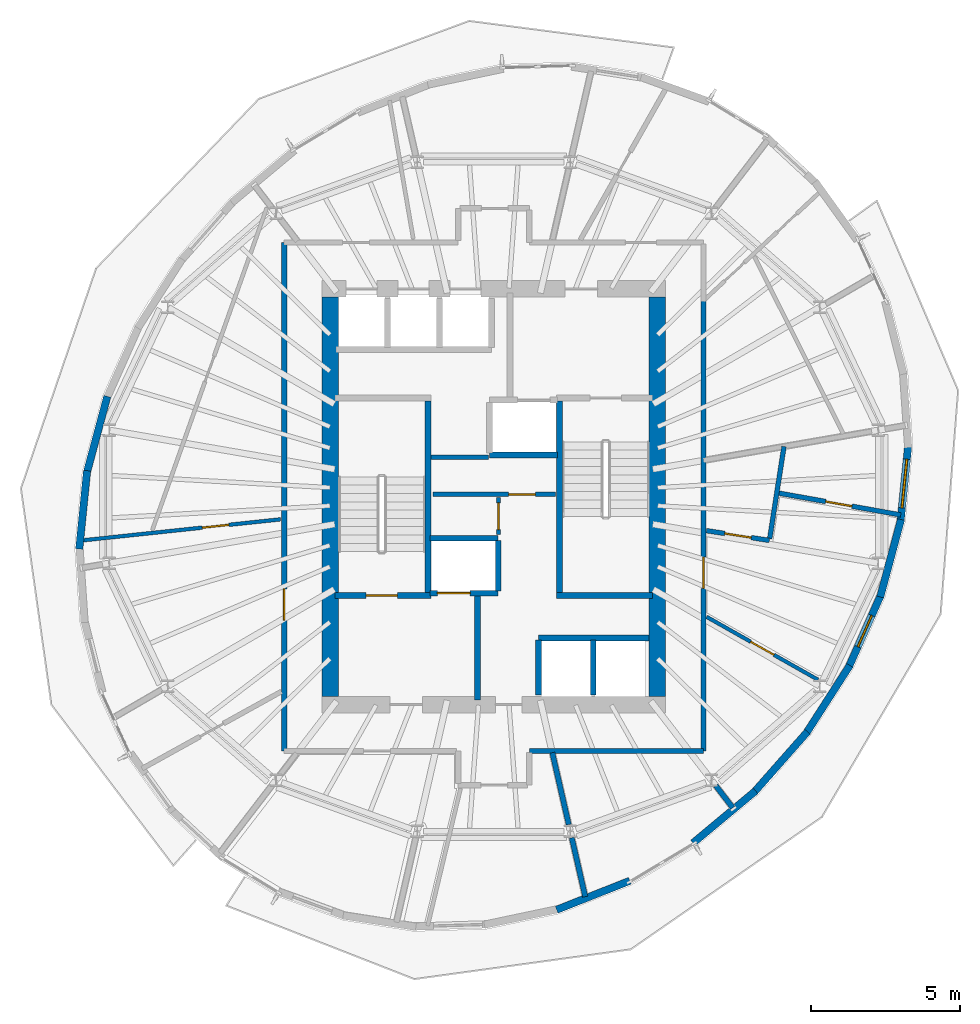
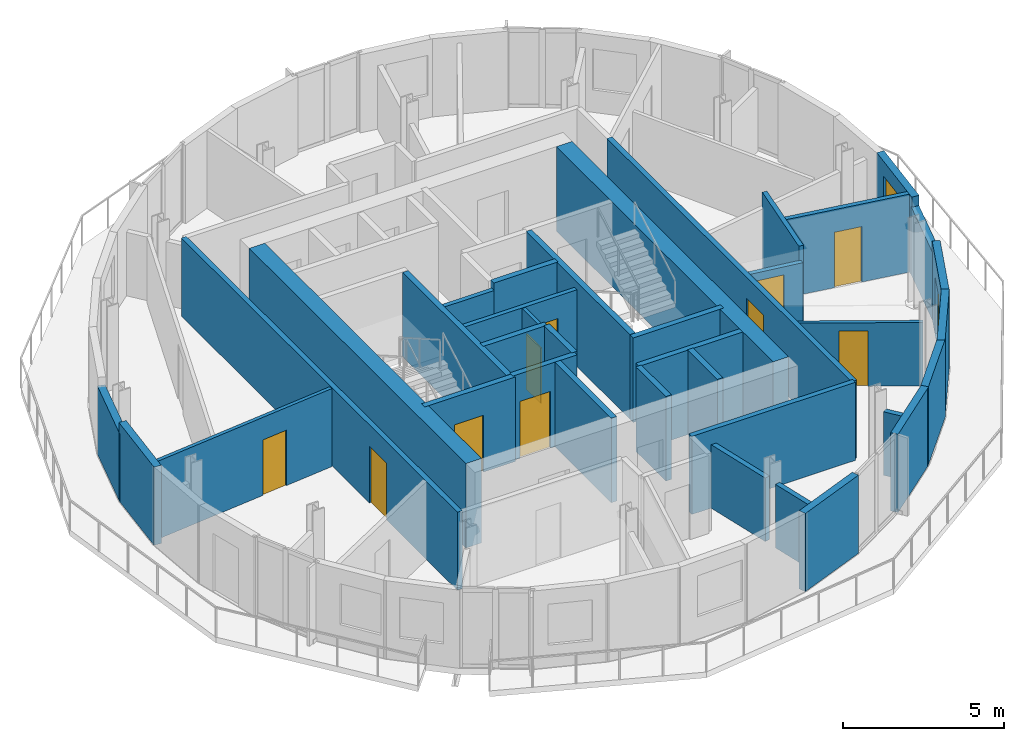
# One storey, part 5 of 11: 37 walls, 11 doors, 1 window, 12 openings.
"""IFC4 building model written with IfcOpenShell, lengths in metres."""

from ifc_helpers import new_model, si_unit, direction, frame, frame_2d, origin, place, context, subcontext, project, spatial, rectangle, extrude, material, layer, layer_set, type_object, element, fill, save


model = new_model("IFC4")

# Units and contexts
model_context = context("Model", 3, precision=1e-05, world=origin(), true_north=direction((0.0, 1.0)))
body_context = subcontext(model_context, "Body", "Model", "MODEL_VIEW")
ifc_project = project(units=[si_unit("LENGTHUNIT", "METRE"), si_unit("AREAUNIT", "SQUARE_METRE"), si_unit("VOLUMEUNIT", "CUBIC_METRE"), si_unit("PLANEANGLEUNIT", "RADIAN"), si_unit("MASSUNIT", "GRAM", prefix="KILO")], contexts=[model_context])

# Site, building, storey
site_placement = place(None, origin())
site = spatial("IfcSite", under=ifc_project, at=site_placement, CompositionType="ELEMENT")
building_placement = place(site_placement, origin())
building = spatial("IfcBuilding", under=site, at=building_placement, Name="Veldorim Arch Residences", CompositionType="ELEMENT")
storey_placement = place(building_placement, frame((0.0, 0.0, 217.43994140625)))
storey = spatial("IfcBuildingStorey", under=building, at=storey_placement, Name="L65", CompositionType="ELEMENT", Elevation=217.43994140625)

# Wall, opening, door
ifc_material_1 = material(Name="Acoustic Gypsum Board", Category="gypsum")
ifc_layer_1 = layer(ifc_material_1, 0.125, Name="Acoustic Stud Room Partition Wall 125")
ifc_layer_set_1 = layer_set([ifc_layer_1], Name="Acoustic Gypsum Board")
wall_type_1 = type_object("IfcWallType", Name="Acoustic Stud Room Partition Wall 125", PredefinedType="PARTITIONING", material=ifc_layer_set_1)
wall_1_placement = place(storey_placement, frame((32.159912109375, 22.719970703125, 0.0), z_axis=(0.0, 0.0, 1.0), x_axis=(0.0, 1.0, 0.0)))
wall_1 = element("IfcWall", 1, at=wall_1_placement, inside=storey, type_object=wall_type_1, Name="L65 interior wall WL-CA-L65-2", PredefinedType="PARTITIONING", context=body_context, shape_type="SweptSolid", body=[
    extrude(rectangle(XDim=1.25, YDim=0.125, at=frame_2d((0.625, 0.0))), origin(), (0.0, 0.0, 1.0), 2.955078125),
])
opening_1_placement = place(wall_1_placement, frame((0.169921875, 0.0, 0.0)))
opening_1 = element("IfcOpeningElement", 2, at=opening_1_placement, cuts=wall_1, Name="Opening DR-SVC", PredefinedType="OPENING", context=body_context, shape_type="SweptSolid", body=[
    extrude(rectangle(XDim=0.89990234375, YDim=2.10009765625, at=frame_2d((0.449951171875, 1.050048828125))), frame((0.0, 0.072509765625, 0.0), z_axis=(0.0, -1.0, 0.0), x_axis=(1.0, 0.0, 0.0)), (0.0, 0.0, 1.0), 0.14501953125),
])
ifc_material_2 = material(Name="Fire-Rated Steel", Category="steel")
door_type_1 = type_object("IfcDoorType", Name="Riser, Shelter & Plant Room Rated Steel Door 900x2100", OperationType="SINGLE_SWING_LEFT", PredefinedType="DOOR", material=ifc_material_2)
door_1_placement = place(opening_1_placement, origin())
door_1 = element("IfcDoor", 3, at=door_1_placement, inside=storey, type_object=door_type_1, Name="L65 interior door DR-L65-CA2", OperationType="SINGLE_SWING_RIGHT", OverallHeight=2.10009765625, OverallWidth=0.89990234375, PredefinedType="DOOR", context=body_context, shape_type="SweptSolid", body=[
    extrude(rectangle(XDim=0.89990234375, YDim=2.10009765625, at=frame_2d((0.449951171875, 1.050048828125))), frame((0.0, 0.02490234375, 0.0), z_axis=(0.0, -1.0, 0.0), x_axis=(1.0, 0.0, 0.0)), (0.0, 0.0, 1.0), 0.050048828125),
])
fill(opening_1, door_1)

wall_2_placement = place(storey_placement, frame((42.916748046875, 17.83740234375, 0.0), z_axis=(0.0, 0.0, 1.0), x_axis=(-0.870825482781, 0.491592288933, 0.0)))
wall_2 = element("IfcWall", 4, at=wall_2_placement, inside=storey, type_object=wall_type_1, Name="L65 interior wall WL-RES-L65-018", PredefinedType="PARTITIONING", context=body_context, shape_type="SweptSolid", body=[
    extrude(rectangle(XDim=4.308837890625, YDim=0.125, at=frame_2d((2.154296875, 0.0))), origin(), (0.0, 0.0, 1.0), 2.403564453125),
])
opening_2_placement = place(wall_2_placement, frame((1.70458984375, 0.0, 0.0)))
opening_2 = element("IfcOpeningElement", 5, at=opening_2_placement, cuts=wall_2, Name="Opening DR-INT", PredefinedType="OPENING", context=body_context, shape_type="SweptSolid", body=[
    extrude(rectangle(XDim=0.89990234375, YDim=2.10009765625, at=frame_2d((0.449951171875, 1.050048828125))), frame((0.0, 0.072509765625, 0.0), z_axis=(0.0, -1.0, 0.0), x_axis=(1.0, 0.0, 0.0)), (0.0, 0.0, 1.0), 0.14501953125),
])
ifc_material_3 = material(Name="Engineered Timber", Category="wood")
door_type_2 = type_object("IfcDoorType", Name="Apartment Internal Room Timber Door 900x2100", OperationType="SINGLE_SWING_LEFT", PredefinedType="DOOR", material=ifc_material_3)
door_2_placement = place(opening_2_placement, origin())
door_2 = element("IfcDoor", 6, at=door_2_placement, inside=storey, type_object=door_type_2, Name="L65 interior door DR-RES-L65-005", OperationType="SINGLE_SWING_LEFT", OverallHeight=2.10009765625, OverallWidth=0.89990234375, PredefinedType="DOOR", context=body_context, shape_type="SweptSolid", body=[
    extrude(rectangle(XDim=0.89990234375, YDim=2.10009765625, at=frame_2d((0.449951171875, 1.050048828125))), frame((0.0, 0.02490234375, 0.0), z_axis=(0.0, -1.0, 0.0), x_axis=(1.0, 0.0, 0.0)), (0.0, 0.0, 1.0), 0.050048828125),
])
fill(opening_2, door_2)

wall_3_placement = place(storey_placement, frame((18.085693359375, 22.5224609375, 0.0), z_axis=(0.0, 0.0, 1.0), x_axis=(0.994410835851, 0.105579778091, 0.0)))
wall_3 = element("IfcWall", 7, at=wall_3_placement, inside=storey, type_object=wall_type_1, Name="L65 interior wall WL-RES-L65-029", PredefinedType="PARTITIONING", context=body_context, shape_type="SweptSolid", body=[
    extrude(rectangle(XDim=6.77294921875, YDim=0.125, at=frame_2d((3.386474609375, 0.0))), origin(), (0.0, 0.0, 1.0), 2.955078125),
])
opening_3_placement = place(wall_3_placement, frame((4.124267578125, 0.0, 0.0)))
opening_3 = element("IfcOpeningElement", 8, at=opening_3_placement, cuts=wall_3, Name="Opening DR-INT", PredefinedType="OPENING", context=body_context, shape_type="SweptSolid", body=[
    extrude(rectangle(XDim=0.89990234375, YDim=2.10009765625, at=frame_2d((0.449951171875, 1.050048828125))), frame((0.0, 0.072509765625, 0.0), z_axis=(0.0, -1.0, 0.0), x_axis=(1.0, 0.0, 0.0)), (0.0, 0.0, 1.0), 0.14501953125),
])
door_3_placement = place(opening_3_placement, origin())
door_3 = element("IfcDoor", 9, at=door_3_placement, inside=storey, type_object=door_type_2, Name="L65 interior door DR-RES-L65-015", OperationType="SINGLE_SWING_LEFT", OverallHeight=2.10009765625, OverallWidth=0.89990234375, PredefinedType="DOOR", context=body_context, shape_type="SweptSolid", body=[
    extrude(rectangle(XDim=0.89990234375, YDim=2.10009765625, at=frame_2d((0.449951171875, 1.050048828125))), frame((0.0, 0.02490234375, 0.0), z_axis=(0.0, -1.0, 0.0), x_axis=(1.0, 0.0, 0.0)), (0.0, 0.0, 1.0), 0.050048828125),
])
fill(opening_3, door_3)

# Walls
ifc_material_4 = material(Name="Lightweight Masonry Block & Gypsum", Category="masonry")
ifc_layer_2 = layer(ifc_material_4, 0.179931640625, Name="Compartment & Corridor Fire-Rated Party Wall 180")
ifc_layer_set_2 = layer_set([ifc_layer_2], Name="Lightweight Masonry Block & Gypsum")
wall_type_2 = type_object("IfcWallType", Name="Compartment & Corridor Fire-Rated Party Wall 180", PredefinedType="PARTITIONING", material=ifc_layer_set_2)
wall_4_placement = place(storey_placement, frame((34.62646484375, 12.516845703125, 0.0), z_axis=(0.0, 0.0, 1.0), x_axis=(0.222932254148, -0.974833939736, 0.0)))
element("IfcWall", 10, at=wall_4_placement, inside=storey, type_object=wall_type_2, Name="L65 interior wall WL-PIER-L65-13", PredefinedType="PARTITIONING", context=body_context, shape_type="SweptSolid", body=[
    extrude(rectangle(XDim=2.035888671875, YDim=0.179931640625, at=frame_2d((1.01806640625, 0.0))), origin(), (0.0, 0.0, 1.0), 2.403564453125),
])
wall_5_placement = place(storey_placement, frame((39.473388671875, 14.272705078125, 0.0), z_axis=(0.0, 0.0, 1.0), x_axis=(0.60903478373, -0.793143512995, 0.0)))
element("IfcWall", 11, at=wall_5_placement, inside=storey, type_object=wall_type_2, Name="L65 interior wall WL-PIER-L65-14", PredefinedType="PARTITIONING", context=body_context, shape_type="SweptSolid", body=[
    extrude(rectangle(XDim=0.94287109375, YDim=0.179931640625, at=frame_2d((0.471435546875, 0.0))), origin(), (0.0, 0.0, 1.0), 2.403564453125),
])
wall_6_placement = place(storey_placement, frame((39.06005859375, 15.43994140625, 0.0), z_axis=(0.0, 0.0, 1.0), x_axis=(-1.0, 0.0, 0.0)))
element("IfcWall", 12, at=wall_6_placement, inside=storey, type_object=wall_type_2, Name="L65 interior wall WL-RES-L65-001", PredefinedType="PARTITIONING", context=body_context, shape_type="SweptSolid", body=[
    extrude(rectangle(XDim=5.860107421875, YDim=0.179931640625, at=frame_2d((2.93017578125, 0.0))), origin(), (0.0, 0.0, 1.0), 2.955078125),
])

# Wall, opening, door
wall_7_placement = place(storey_placement, frame((39.06005859375, 30.622802734375, 0.0), z_axis=(0.0, 0.0, 1.0), x_axis=(0.0, -1.0, 0.0)))
wall_7 = element("IfcWall", 13, at=wall_7_placement, inside=storey, type_object=wall_type_2, Name="L65 interior wall WL-RES-L65-006", PredefinedType="PARTITIONING", context=body_context, shape_type="SweptSolid", body=[
    extrude(rectangle(XDim=15.182861328125, YDim=0.179931640625, at=frame_2d((7.59130859375, 0.0))), origin(), (0.0, 0.0, 1.0), 2.955078125),
])
opening_4_placement = place(wall_7_placement, frame((8.656005859375, 0.0, 0.0)))
opening_4 = element("IfcOpeningElement", 14, at=opening_4_placement, cuts=wall_7, Name="Opening DR-FLT", PredefinedType="OPENING", context=body_context, shape_type="SweptSolid", body=[
    extrude(rectangle(XDim=1.050048828125, YDim=2.14990234375, at=frame_2d((0.52490234375, 1.074951171875))), frame((0.0, 0.099853515625, 0.0), z_axis=(0.0, -1.0, 0.0), x_axis=(1.0, 0.0, 0.0)), (0.0, 0.0, 1.0), 0.199951171875),
])
ifc_material_5 = material(Name="Fire-Rated Timber", Category="wood")
door_type_3 = type_object("IfcDoorType", Name="Apartment Entrance Solid-Core Fire Door 1050x2150", OperationType="SINGLE_SWING_LEFT", PredefinedType="DOOR", material=ifc_material_5)
door_4_placement = place(opening_4_placement, origin())
door_4 = element("IfcDoor", 15, at=door_4_placement, inside=storey, type_object=door_type_3, Name="L65 interior door DR-RES-L65-003", OperationType="SINGLE_SWING_LEFT", OverallHeight=2.14990234375, OverallWidth=1.050048828125, PredefinedType="DOOR", context=body_context, shape_type="SweptSolid", body=[
    extrude(rectangle(XDim=1.050048828125, YDim=2.14990234375, at=frame_2d((0.52490234375, 1.074951171875))), frame((0.0, 0.02490234375, 0.0), z_axis=(0.0, -1.0, 0.0), x_axis=(1.0, 0.0, 0.0)), (0.0, 0.0, 1.0), 0.050048828125),
])
fill(opening_4, door_4)

wall_8_placement = place(storey_placement, frame((24.93994140625, 15.43994140625, 0.0), z_axis=(0.0, 0.0, 1.0), x_axis=(0.0, 1.0, 0.0)))
wall_8 = element("IfcWall", 16, at=wall_8_placement, inside=storey, type_object=wall_type_2, Name="L65 interior wall WL-RES-L65-013", PredefinedType="PARTITIONING", context=body_context, shape_type="SweptSolid", body=[
    extrude(rectangle(XDim=17.1201171875, YDim=0.179931640625, at=frame_2d((8.56005859375, 0.0))), origin(), (0.0, 0.0, 1.0), 2.955078125),
])
opening_5_placement = place(wall_8_placement, frame((4.404296875, 0.0, 0.0)))
opening_5 = element("IfcOpeningElement", 17, at=opening_5_placement, cuts=wall_8, Name="Opening DR-FLT", PredefinedType="OPENING", context=body_context, shape_type="SweptSolid", body=[
    extrude(rectangle(XDim=1.050048828125, YDim=2.14990234375, at=frame_2d((0.52490234375, 1.074951171875))), frame((0.0, 0.099853515625, 0.0), z_axis=(0.0, -1.0, 0.0), x_axis=(1.0, 0.0, 0.0)), (0.0, 0.0, 1.0), 0.199951171875),
])
door_5_placement = place(opening_5_placement, origin())
door_5 = element("IfcDoor", 18, at=door_5_placement, inside=storey, type_object=door_type_3, Name="L65 interior door DR-RES-L65-013", OperationType="SINGLE_SWING_LEFT", OverallHeight=2.14990234375, OverallWidth=1.050048828125, PredefinedType="DOOR", context=body_context, shape_type="SweptSolid", body=[
    extrude(rectangle(XDim=1.050048828125, YDim=2.14990234375, at=frame_2d((0.52490234375, 1.074951171875))), frame((0.0, 0.02490234375, 0.0), z_axis=(0.0, -1.0, 0.0), x_axis=(1.0, 0.0, 0.0)), (0.0, 0.0, 1.0), 0.050048828125),
])
fill(opening_5, door_5)

# Walls
wall_9_placement = place(storey_placement, frame((33.97119140625, 15.381591796875, 0.0), z_axis=(0.0, 0.0, 1.0), x_axis=(0.222950196428, -0.974829836388, 0.0)))
element("IfcWall", 19, at=wall_9_placement, inside=storey, type_object=wall_type_2, Name="L65 interior wall WL-RES-L65-015", PredefinedType="PARTITIONING", context=body_context, shape_type="SweptSolid", body=[
    extrude(rectangle(XDim=2.484619140625, YDim=0.179931640625, at=frame_2d((1.2421875, 0.0))), origin(), (0.0, 0.0, 1.0), 2.403564453125),
])
ifc_material_6 = material(Name="Concrete C50/60", Category="concrete")
ifc_layer_3 = layer(ifc_material_6, 0.199951171875, Name="Core Stair & Lift Shaft Enclosure Wall 200")
ifc_layer_set_3 = layer_set([ifc_layer_3], Name="Concrete C50/60")
wall_type_3 = type_object("IfcWallType", Name="Core Stair & Lift Shaft Enclosure Wall 200", PredefinedType="SHEAR", material=ifc_layer_set_3)
wall_10_placement = place(storey_placement, frame((29.7900390625, 20.780029296875, 0.0), z_axis=(0.0, 0.0, 1.0), x_axis=(0.0, 1.0, 0.0)))
element("IfcWall", 20, at=wall_10_placement, inside=storey, type_object=wall_type_3, Name="L65 shaft wall WL-SHF-L65-ST1-E", PredefinedType="SHEAR", context=body_context, shape_type="SweptSolid", body=[
    extrude(rectangle(XDim=6.43994140625, YDim=0.199951171875, at=frame_2d((3.219970703125, 0.0))), origin(), (0.0, 0.0, 1.0), 3.199951171875),
])

# Wall, opening, door
wall_11_placement = place(storey_placement, frame((26.64990234375, 20.669921875, 0.0), z_axis=(0.0, 0.0, 1.0), x_axis=(1.0, 0.0, 0.0)))
wall_11 = element("IfcWall", 21, at=wall_11_placement, inside=storey, type_object=wall_type_3, Name="L65 shaft wall WL-SHF-L65-ST1-S", PredefinedType="SHEAR", context=body_context, shape_type="SweptSolid", body=[
    extrude(rectangle(XDim=3.239990234375, YDim=0.199951171875, at=frame_2d((1.6201171875, 0.0))), origin(), (0.0, 0.0, 1.0), 3.199951171875),
])
opening_6_placement = place(wall_11_placement, frame((1.054931640625, 0.0, 0.0)))
opening_6 = element("IfcOpeningElement", 22, at=opening_6_placement, cuts=wall_11, Name="Opening DR-ST", PredefinedType="OPENING", context=body_context, shape_type="SweptSolid", body=[
    extrude(rectangle(XDim=1.050048828125, YDim=2.14990234375, at=frame_2d((0.52490234375, 1.074951171875))), frame((0.0, 0.10986328125, 0.0), z_axis=(0.0, -1.0, 0.0), x_axis=(1.0, 0.0, 0.0)), (0.0, 0.0, 1.0), 0.219970703125),
])
ifc_material_7 = material(Name="Fire-Rated Steel", Category="steel")
door_type_4 = type_object("IfcDoorType", Name="Exit Staircase Self-Closing Fire Door 1050x2150", OperationType="SINGLE_SWING_LEFT", PredefinedType="DOOR", material=ifc_material_7)
door_6_placement = place(opening_6_placement, origin())
door_6 = element("IfcDoor", 23, at=door_6_placement, inside=storey, type_object=door_type_4, Name="L65 interior door DR-L65-ST1", OperationType="SINGLE_SWING_LEFT", OverallHeight=2.14990234375, OverallWidth=1.050048828125, PredefinedType="DOOR", context=body_context, shape_type="SweptSolid", body=[
    extrude(rectangle(XDim=1.050048828125, YDim=2.14990234375, at=frame_2d((0.52490234375, 1.074951171875))), frame((0.0, 0.02490234375, 0.0), z_axis=(0.0, -1.0, 0.0), x_axis=(1.0, 0.0, 0.0)), (0.0, 0.0, 1.0), 0.050048828125),
])
fill(opening_6, door_6)

# Walls
wall_12_placement = place(storey_placement, frame((34.2099609375, 20.780029296875, 0.0), z_axis=(0.0, 0.0, 1.0), x_axis=(0.0, 1.0, 0.0)))
element("IfcWall", 24, at=wall_12_placement, inside=storey, type_object=wall_type_3, Name="L65 shaft wall WL-SHF-L65-ST2-W", PredefinedType="SHEAR", context=body_context, shape_type="SweptSolid", body=[
    extrude(rectangle(XDim=6.43994140625, YDim=0.199951171875, at=frame_2d((3.219970703125, 0.0))), origin(), (0.0, 0.0, 1.0), 3.199951171875),
])
wall_13_placement = place(storey_placement, frame((34.110107421875, 20.669921875, 0.0), z_axis=(0.0, 0.0, 1.0), x_axis=(1.0, 0.0, 0.0)))
element("IfcWall", 25, at=wall_13_placement, inside=storey, type_object=wall_type_3, Name="L65 shaft wall WL-SHF-L65-ST2-S", PredefinedType="SHEAR", context=body_context, shape_type="SweptSolid", body=[
    extrude(rectangle(XDim=3.239990234375, YDim=0.199951171875, at=frame_2d((1.6201171875, 0.0))), origin(), (0.0, 0.0, 1.0), 3.199951171875),
])
wall_14_placement = place(storey_placement, frame((31.449951171875, 17.14990234375, 0.0), z_axis=(0.0, 0.0, 1.0), x_axis=(0.0, 1.0, 0.0)))
element("IfcWall", 26, at=wall_14_placement, inside=storey, type_object=wall_type_3, Name="L65 shaft wall WL-FFL1-L65-E", PredefinedType="SHEAR", context=body_context, shape_type="SweptSolid", body=[
    extrude(rectangle(XDim=3.5, YDim=0.199951171875, at=frame_2d((1.75, 0.0))), origin(), (0.0, 0.0, 1.0), 3.199951171875),
])

# Wall, opening, door
wall_15_placement = place(storey_placement, frame((29.85009765625, 20.75, 0.0), z_axis=(0.0, 0.0, 1.0), x_axis=(1.0, 0.0, 0.0)))
wall_15 = element("IfcWall", 27, at=wall_15_placement, inside=storey, type_object=wall_type_3, Name="L65 shaft wall WL-FL01-L65-S", PredefinedType="SHEAR", context=body_context, shape_type="SweptSolid", body=[
    extrude(rectangle(XDim=2.2998046875, YDim=0.199951171875, at=frame_2d((1.14990234375, 0.0))), origin(), (0.0, 0.0, 1.0), 3.199951171875),
])
opening_7_placement = place(wall_15_placement, frame((0.25, 0.0, 0.0)))
opening_7 = element("IfcOpeningElement", 28, at=opening_7_placement, cuts=wall_15, Name="Opening LD-FF", PredefinedType="OPENING", context=body_context, shape_type="SweptSolid", body=[
    extrude(rectangle(XDim=1.10009765625, YDim=2.14990234375, at=frame_2d((0.550048828125, 1.074951171875))), frame((0.0, 0.10986328125, 0.0), z_axis=(0.0, -1.0, 0.0), x_axis=(1.0, 0.0, 0.0)), (0.0, 0.0, 1.0), 0.219970703125),
])
ifc_material_8 = material(Name="Stainless Steel", Category="steel")
door_type_5 = type_object("IfcDoorType", Name="Firefighting Lift Bi-Parting Sliding Landing Door 1100x2150", OperationType="DOUBLE_DOOR_SLIDING", PredefinedType="DOOR", material=ifc_material_8)
door_7_placement = place(opening_7_placement, origin())
door_7 = element("IfcDoor", 29, at=door_7_placement, inside=storey, type_object=door_type_5, Name="L65 lift landing door LD-L65-FL01", OperationType="DOUBLE_DOOR_SLIDING", OverallHeight=2.14990234375, OverallWidth=1.10009765625, PredefinedType="DOOR", context=body_context, shape_type="SweptSolid", body=[
    extrude(rectangle(XDim=1.10009765625, YDim=2.14990234375, at=frame_2d((0.550048828125, 1.074951171875))), frame((0.0, 0.02490234375, 0.0), z_axis=(0.0, -1.0, 0.0), x_axis=(1.0, 0.0, 0.0)), (0.0, 0.0, 1.0), 0.050048828125),
])
fill(opening_7, door_7)

# Walls
wall_16_placement = place(storey_placement, frame((29.85009765625, 22.60009765625, 0.0), z_axis=(0.0, 0.0, 1.0), x_axis=(1.0, 0.0, 0.0)))
element("IfcWall", 30, at=wall_16_placement, inside=storey, type_object=wall_type_3, Name="L65 shaft wall WL-FL01-L65-N", PredefinedType="SHEAR", context=body_context, shape_type="SweptSolid", body=[
    extrude(rectangle(XDim=2.2998046875, YDim=0.199951171875, at=frame_2d((1.14990234375, 0.0))), origin(), (0.0, 0.0, 1.0), 3.199951171875),
])
wall_17_placement = place(storey_placement, frame((32.14990234375, 20.820068359375, 0.0), z_axis=(0.0, 0.0, 1.0), x_axis=(0.0, 1.0, 0.0)))
element("IfcWall", 31, at=wall_17_placement, inside=storey, type_object=wall_type_3, Name="L65 shaft wall WL-FL01-L65-E", PredefinedType="SHEAR", context=body_context, shape_type="SweptSolid", body=[
    extrude(rectangle(XDim=1.7099609375, YDim=0.199951171875, at=frame_2d((0.85498046875, 0.0))), origin(), (0.0, 0.0, 1.0), 3.199951171875),
])
wall_18_placement = place(storey_placement, frame((31.85009765625, 25.39990234375, 0.0), z_axis=(0.0, 0.0, 1.0), x_axis=(1.0, 0.0, 0.0)))
element("IfcWall", 32, at=wall_18_placement, inside=storey, type_object=wall_type_3, Name="L65 shaft wall WL-FL02-L65-S", PredefinedType="SHEAR", context=body_context, shape_type="SweptSolid", body=[
    extrude(rectangle(XDim=2.2998046875, YDim=0.199951171875, at=frame_2d((1.14990234375, 0.0))), origin(), (0.0, 0.0, 1.0), 3.199951171875),
])
wall_19_placement = place(storey_placement, frame((33.5, 19.25, 0.0), z_axis=(0.0, 0.0, 1.0), x_axis=(1.0, 0.0, 0.0)))
element("IfcWall", 33, at=wall_19_placement, inside=storey, type_object=wall_type_3, Name="L65 shaft wall WL-OL-L65-N", PredefinedType="SHEAR", context=body_context, shape_type="SweptSolid", body=[
    extrude(rectangle(XDim=3.719970703125, YDim=0.199951171875, at=frame_2d((1.85986328125, 0.0))), origin(), (0.0, 0.0, 1.0), 3.199951171875),
])
for number, where, z_axis, x_axis, name in (
    (34, (33.5, 17.320068359375, 0.0), (0.0, 0.0, 1.0), (0.0, 1.0, 0.0), "L65 shaft wall WL-OL-L65-W"),
    (35, (35.35009765625, 17.320068359375, 0.0), (0.0, 0.0, 1.0), (0.0, 1.0, 0.0), "L65 shaft wall WL-OL-L65-D1"),
):
    element("IfcWall", number, at=place(storey_placement, frame(where, z_axis=z_axis, x_axis=x_axis)), inside=storey, type_object=wall_type_3, Name=name, PredefinedType="SHEAR", context=body_context, shape_type="SweptSolid", body=[
        extrude(rectangle(XDim=1.85986328125, YDim=0.199951171875, at=frame_2d((0.929931640625, 0.0))), origin(), (0.0, 0.0, 1.0), 3.199951171875),
    ])
ifc_material_9 = material(Name="Precast concrete C40/50", Category="concrete")
ifc_layer_4 = layer(ifc_material_9, 0.25, Name="Tower Terracotta Spandrel & Pier Wall 250")
ifc_layer_set_4 = layer_set([ifc_layer_4], Name="Precast concrete C40/50")
wall_type_4 = type_object("IfcWallType", Name="Tower Terracotta Spandrel & Pier Wall 250", PredefinedType="SOLIDWALL", material=ifc_layer_set_4)
wall_20_placement = place(storey_placement, frame((18.28759765625, 24.768310546875, 0.0), z_axis=(0.0, 0.0, 1.0), x_axis=(0.259023691836, 0.965870968126, 0.0)))
element("IfcWall", 36, at=wall_20_placement, inside=storey, type_object=wall_type_4, Name="L65 terracotta facade wall 12", PredefinedType="SOLIDWALL", context=body_context, shape_type="SweptSolid", body=[
    extrude(rectangle(XDim=2.701416015625, YDim=0.25, at=frame_2d((1.3505859375, 0.0))), origin(), (0.0, 0.0, 1.0), 2.5771484375),
])
for number, where, z_axis, x_axis, name in (
    (37, (18.0419921875, 22.238525390625, 0.0), (0.0, 0.0, 1.0), (0.100196668354, 0.99496765156, 0.0), "L65 terracotta facade wall 13"),
    (38, (36.580322265625, 11.066650390625, 0.0), (0.0, 0.0, 1.0), (-0.929861098324, -0.36791077427, 0.0), "L65 terracotta facade wall 24"),
):
    element("IfcWall", number, at=place(storey_placement, frame(where, z_axis=z_axis, x_axis=x_axis)), inside=storey, type_object=wall_type_4, Name=name, PredefinedType="SOLIDWALL", context=body_context, shape_type="SweptSolid", body=[
        extrude(rectangle(XDim=2.651123046875, YDim=0.25, at=frame_2d((1.32568359375, 0.0))), origin(), (0.0, 0.0, 1.0), 2.9599609375),
    ])
wall_21_placement = place(storey_placement, frame((40.815673828125, 14.093505859375, 0.0), z_axis=(0.0, 0.0, 1.0), x_axis=(-0.76821397209, -0.640193168571, 0.0)))
element("IfcWall", 39, at=wall_21_placement, inside=storey, type_object=wall_type_4, Name="L65 terracotta facade wall 26", PredefinedType="SOLIDWALL", context=body_context, shape_type="SweptSolid", body=[
    extrude(rectangle(XDim=2.738525390625, YDim=0.25, at=frame_2d((1.369140625, 0.0))), origin(), (0.0, 0.0, 1.0), 2.9599609375),
])
for number, where, z_axis, x_axis, name in (
    (40, (42.562744140625, 16.08544921875, 0.0), (0.0, 0.0, 1.0), (-0.661694827408, -0.749773269317, 0.0), "L65 terracotta facade wall 27"),
    (41, (43.98828125, 18.31884765625, 0.0), (0.0, 0.0, 1.0), (-0.540690479286, -0.841221615039, 0.0), "L65 terracotta facade wall 28"),
):
    element("IfcWall", number, at=place(storey_placement, frame(where, z_axis=z_axis, x_axis=x_axis)), inside=storey, type_object=wall_type_4, Name=name, PredefinedType="SOLIDWALL", context=body_context, shape_type="SweptSolid", body=[
        extrude(rectangle(XDim=2.758056640625, YDim=0.25, at=frame_2d((1.37890625, 0.0))), origin(), (0.0, 0.0, 1.0), 2.9599609375),
    ])

# Wall, opening, door
wall_22_placement = place(storey_placement, frame((45.049072265625, 20.7255859375, 0.0), z_axis=(0.0, 0.0, 1.0), x_axis=(-0.40624599189, -0.913763751783, 0.0)))
wall_22 = element("IfcWall", 42, at=wall_22_placement, inside=storey, type_object=wall_type_4, Name="L65 terracotta facade wall 29", PredefinedType="SOLIDWALL", context=body_context, shape_type="SweptSolid", body=[
    extrude(rectangle(XDim=2.738525390625, YDim=0.25, at=frame_2d((1.369140625, 0.0))), origin(), (0.0, 0.0, 1.0), 2.9599609375),
])
opening_8_placement = place(wall_22_placement, frame((0.7939453125, 0.0, 0.0)))
opening_8 = element("IfcOpeningElement", 43, at=opening_8_placement, cuts=wall_22, Name="Opening BL-DR", PredefinedType="OPENING", context=body_context, shape_type="SweptSolid", body=[
    extrude(rectangle(XDim=1.14990234375, YDim=2.199951171875, at=frame_2d((0.574951171875, 1.10009765625))), frame((0.0, 0.135009765625, 0.0), z_axis=(0.0, -1.0, 0.0), x_axis=(1.0, 0.0, 0.0)), (0.0, 0.0, 1.0), 0.27001953125),
])
ifc_material_10 = material(Name="Aluminium & Low-E Glass", Category="aluminium")
door_type_6 = type_object("IfcDoorType", Name="Glazed Planted Balcony Door 1150x2200", OperationType="SINGLE_SWING_LEFT", PredefinedType="DOOR", material=ifc_material_10)
door_8_placement = place(opening_8_placement, origin())
door_8 = element("IfcDoor", 44, at=door_8_placement, inside=storey, type_object=door_type_6, Name="L65 glazed outdoor terrace door BALC-2", OperationType="SINGLE_SWING_LEFT", OverallHeight=2.199951171875, OverallWidth=1.14990234375, PredefinedType="DOOR", context=body_context, shape_type="SweptSolid", body=[
    extrude(rectangle(XDim=1.14990234375, YDim=2.199951171875, at=frame_2d((0.574951171875, 1.10009765625))), frame((0.0, 0.02490234375, 0.0), z_axis=(0.0, -1.0, 0.0), x_axis=(1.0, 0.0, 0.0)), (0.0, 0.0, 1.0), 0.050048828125),
])
fill(opening_8, door_8)

# Wall
wall_23_placement = place(storey_placement, frame((45.71240234375, 23.231689453125, 0.0), z_axis=(0.0, 0.0, 1.0), x_axis=(-0.259023691836, -0.965870968126, 0.0)))
element("IfcWall", 45, at=wall_23_placement, inside=storey, type_object=wall_type_4, Name="L65 terracotta facade wall 30", PredefinedType="SOLIDWALL", context=body_context, shape_type="SweptSolid", body=[
    extrude(rectangle(XDim=2.701416015625, YDim=0.25, at=frame_2d((1.3505859375, 0.0))), origin(), (0.0, 0.0, 1.0), 2.5771484375),
])

# Wall, opening, window
wall_24_placement = place(storey_placement, frame((45.9580078125, 25.761474609375, 0.0), z_axis=(0.0, 0.0, 1.0), x_axis=(-0.100196668354, -0.99496765156, 0.0)))
wall_24 = element("IfcWall", 46, at=wall_24_placement, inside=storey, type_object=wall_type_4, Name="L65 terracotta facade wall 31", PredefinedType="SOLIDWALL", context=body_context, shape_type="SweptSolid", body=[
    extrude(rectangle(XDim=2.651123046875, YDim=0.25, at=frame_2d((1.32568359375, 0.0))), origin(), (0.0, 0.0, 1.0), 2.9599609375),
])
opening_9_placement = place(wall_24_placement, frame((0.5009765625, 0.0, 0.85009765625)))
opening_9 = element("IfcOpeningElement", 47, at=opening_9_placement, cuts=wall_24, Name="Opening WN-03", PredefinedType="OPENING", context=body_context, shape_type="SweptSolid", body=[
    extrude(rectangle(XDim=1.64990234375, YDim=1.550048828125, at=frame_2d((0.824951171875, 0.77490234375))), frame((0.0, 0.135009765625, 0.0), z_axis=(0.0, -1.0, 0.0), x_axis=(1.0, 0.0, 0.0)), (0.0, 0.0, 1.0), 0.27001953125),
])
ifc_material_11 = material(Name="Laminated Low-E Glass", Category="glass")
window_type = type_object("IfcWindowType", Name="Residential Wide Window 1650x1550", PartitioningType="SINGLE_PANEL", PredefinedType="WINDOW", material=ifc_material_11)
window_placement = place(opening_9_placement, origin())
window = element("IfcWindow", 48, at=window_placement, inside=storey, type_object=window_type, Name="L65 solar-control facade window 31", OverallHeight=1.550048828125, OverallWidth=1.64990234375, PartitioningType="SINGLE_PANEL", PredefinedType="WINDOW", context=body_context, shape_type="SweptSolid", body=[
    extrude(rectangle(XDim=1.64990234375, YDim=1.550048828125, at=frame_2d((0.824951171875, 0.77490234375))), frame((0.0, 0.030029296875, 0.0), z_axis=(0.0, -1.0, 0.0), x_axis=(1.0, 0.0, 0.0)), (0.0, 0.0, 1.0), 0.06005859375),
])
fill(opening_9, window)

# Walls
ifc_material_12 = material(Name="Concrete C50/60", Category="concrete")
ifc_layer_5 = layer(ifc_material_12, 0.5, Name="Upper Central Core Shear Wall 560")
ifc_layer_set_5 = layer_set([ifc_layer_5], Name="Concrete C50/60")
wall_type_5 = type_object("IfcWallType", Name="Upper Central Core Shear Wall 560", PredefinedType="SHEAR", material=ifc_layer_set_5)
for number, where, z_axis, x_axis, name in (
    (49, (26.5, 17.280029296875, 0.0), (0.0, 0.0, 1.0), (0.0, 1.0, 0.0), "L65 central core west shear wall"),
    (50, (37.5, 17.280029296875, 0.0), (0.0, 0.0, 1.0), (0.0, 1.0, 0.0), "L65 central core east shear wall"),
):
    element("IfcWall", number, at=place(storey_placement, frame(where, z_axis=z_axis, x_axis=x_axis)), inside=storey, type_object=wall_type_5, Name=name, PredefinedType="SHEAR", context=body_context, shape_type="SweptSolid", body=[
        extrude(rectangle(XDim=13.43994140625, YDim=0.56005859375, at=frame_2d((6.719970703125, 0.0))), origin(), (0.0, 0.0, 1.0), 3.199951171875),
    ])

# Wall, opening, door
ifc_material_13 = material(Name="Moisture-Resistant Gypsum & Stud", Category="gypsum")
ifc_layer_6 = layer(ifc_material_13, 0.159912109375, Name="Wet-Area Moisture-Resistant Plumbing Wall 160")
ifc_layer_set_6 = layer_set([ifc_layer_6], Name="Moisture-Resistant Gypsum & Stud")
wall_type_6 = type_object("IfcWallType", Name="Wet-Area Moisture-Resistant Plumbing Wall 160", PredefinedType="PLUMBINGWALL", material=ifc_layer_set_6)
wall_25_placement = place(storey_placement, frame((29.949951171875, 24.080078125, 0.0), z_axis=(0.0, 0.0, 1.0), x_axis=(1.0, 0.0, 0.0)))
wall_25 = element("IfcWall", 51, at=wall_25_placement, inside=storey, type_object=wall_type_6, Name="L65 interior wall WL-CA-L65-1", PredefinedType="PLUMBINGWALL", context=body_context, shape_type="SweptSolid", body=[
    extrude(rectangle(XDim=4.130126953125, YDim=0.159912109375, at=frame_2d((2.06494140625, 0.0))), origin(), (0.0, 0.0, 1.0), 2.955078125),
])
opening_10_placement = place(wall_25_placement, frame((2.550048828125, 0.0, 0.0)))
opening_10 = element("IfcOpeningElement", 52, at=opening_10_placement, cuts=wall_25, Name="Opening DR-WC", PredefinedType="OPENING", context=body_context, shape_type="SweptSolid", body=[
    extrude(rectangle(XDim=0.89990234375, YDim=2.10009765625, at=frame_2d((0.449951171875, 1.050048828125))), frame((0.0, 0.08984375, 0.0), z_axis=(0.0, -1.0, 0.0), x_axis=(1.0, 0.0, 0.0)), (0.0, 0.0, 1.0), 0.179931640625),
])
ifc_material_14 = material(Name="Laminate Timber", Category="wood")
door_type_7 = type_object("IfcDoorType", Name="Bathroom & Accessible WC Moisture-Sealed Door 900x2100", OperationType="SINGLE_SWING_LEFT", PredefinedType="DOOR", material=ifc_material_14)
door_9_placement = place(opening_10_placement, origin())
door_9 = element("IfcDoor", 53, at=door_9_placement, inside=storey, type_object=door_type_7, Name="L65 interior door DR-L65-CA1", OperationType="SINGLE_SWING_LEFT", OverallHeight=2.10009765625, OverallWidth=0.89990234375, PredefinedType="DOOR", context=body_context, shape_type="SweptSolid", body=[
    extrude(rectangle(XDim=0.89990234375, YDim=2.10009765625, at=frame_2d((0.449951171875, 1.050048828125))), frame((0.0, 0.02490234375, 0.0), z_axis=(0.0, -1.0, 0.0), x_axis=(1.0, 0.0, 0.0)), (0.0, 0.0, 1.0), 0.050048828125),
])
fill(opening_10, door_9)

# Wall
wall_26_placement = place(storey_placement, frame((29.889892578125, 25.330078125, 0.0), z_axis=(0.0, 0.0, 1.0), x_axis=(1.0, 0.0, 0.0)))
element("IfcWall", 54, at=wall_26_placement, inside=storey, type_object=wall_type_6, Name="L65 interior wall WL-CA-L65-N", PredefinedType="PLUMBINGWALL", context=body_context, shape_type="SweptSolid", body=[
    extrude(rectangle(XDim=1.940185546875, YDim=0.159912109375, at=frame_2d((0.97021484375, 0.0))), origin(), (0.0, 0.0, 1.0), 2.955078125),
])

# Wall, opening, door
wall_27_placement = place(storey_placement, frame((41.530029296875, 24.132080078125, 0.0), z_axis=(0.0, 0.0, 1.0), x_axis=(0.98434454673, -0.176254966805, 0.0)))
wall_27 = element("IfcWall", 55, at=wall_27_placement, inside=storey, type_object=wall_type_6, Name="L65 interior wall WL-RES-L65-017", PredefinedType="PLUMBINGWALL", context=body_context, shape_type="SweptSolid", body=[
    extrude(rectangle(XDim=4.239990234375, YDim=0.159912109375, at=frame_2d((2.1201171875, 0.0))), origin(), (0.0, 0.0, 1.0), 2.955078125),
])
opening_11_placement = place(wall_27_placement, frame((1.669921875, 0.0, 0.0)))
opening_11 = element("IfcOpeningElement", 56, at=opening_11_placement, cuts=wall_27, Name="Opening DR-WC", PredefinedType="OPENING", context=body_context, shape_type="SweptSolid", body=[
    extrude(rectangle(XDim=0.89990234375, YDim=2.10009765625, at=frame_2d((0.449951171875, 1.050048828125))), frame((0.0, 0.08984375, 0.0), z_axis=(0.0, -1.0, 0.0), x_axis=(1.0, 0.0, 0.0)), (0.0, 0.0, 1.0), 0.179931640625),
])
door_10_placement = place(opening_11_placement, origin())
door_10 = element("IfcDoor", 57, at=door_10_placement, inside=storey, type_object=door_type_7, Name="L65 interior door DR-RES-L65-004", OperationType="SINGLE_SWING_RIGHT", OverallHeight=2.10009765625, OverallWidth=0.89990234375, PredefinedType="DOOR", context=body_context, shape_type="SweptSolid", body=[
    extrude(rectangle(XDim=0.89990234375, YDim=2.10009765625, at=frame_2d((0.449951171875, 1.050048828125))), frame((0.0, 0.02490234375, 0.0), z_axis=(0.0, -1.0, 0.0), x_axis=(1.0, 0.0, 0.0)), (0.0, 0.0, 1.0), 0.050048828125),
])
fill(opening_11, door_10)

wall_28_placement = place(storey_placement, frame((39.15869140625, 22.85693359375, 0.0), z_axis=(0.0, 0.0, 1.0), x_axis=(0.98817241845, -0.15334689894, 0.0)))
wall_28 = element("IfcWall", 58, at=wall_28_placement, inside=storey, type_object=wall_type_6, Name="L65 interior wall WL-RES-L65-019", PredefinedType="PLUMBINGWALL", context=body_context, shape_type="SweptSolid", body=[
    extrude(rectangle(XDim=2.147705078125, YDim=0.159912109375, at=frame_2d((1.07373046875, 0.0))), origin(), (0.0, 0.0, 1.0), 2.403564453125),
])
opening_12_placement = place(wall_28_placement, frame((0.623779296875, 0.0, 0.0)))
opening_12 = element("IfcOpeningElement", 59, at=opening_12_placement, cuts=wall_28, Name="Opening DR-INT", PredefinedType="OPENING", context=body_context, shape_type="SweptSolid", body=[
    extrude(rectangle(XDim=0.89990234375, YDim=2.10009765625, at=frame_2d((0.449951171875, 1.050048828125))), frame((0.0, 0.08984375, 0.0), z_axis=(0.0, -1.0, 0.0), x_axis=(1.0, 0.0, 0.0)), (0.0, 0.0, 1.0), 0.179931640625),
])
door_11_placement = place(opening_12_placement, origin())
door_11 = element("IfcDoor", 60, at=door_11_placement, inside=storey, type_object=door_type_2, Name="L65 interior door DR-RES-L65-006", OperationType="SINGLE_SWING_RIGHT", OverallHeight=2.10009765625, OverallWidth=0.89990234375, PredefinedType="DOOR", context=body_context, shape_type="SweptSolid", body=[
    extrude(rectangle(XDim=0.89990234375, YDim=2.10009765625, at=frame_2d((0.449951171875, 1.050048828125))), frame((0.0, 0.02490234375, 0.0), z_axis=(0.0, -1.0, 0.0), x_axis=(1.0, 0.0, 0.0)), (0.0, 0.0, 1.0), 0.050048828125),
])
fill(opening_12, door_11)

# Wall
wall_29_placement = place(storey_placement, frame((41.290283203125, 22.5869140625, 0.0), z_axis=(0.0, 0.0, 1.0), x_axis=(0.153371357182, 0.988168622653, 0.0)))
element("IfcWall", 61, at=wall_29_placement, inside=storey, type_object=wall_type_6, Name="L65 interior wall WL-RES-L65-020", PredefinedType="PLUMBINGWALL", context=body_context, shape_type="SweptSolid", body=[
    extrude(rectangle(XDim=3.140625, YDim=0.159912109375, at=frame_2d((1.5703125, 0.0))), origin(), (0.0, 0.0, 1.0), 2.955078125),
])

save(model, "model.ifc")
